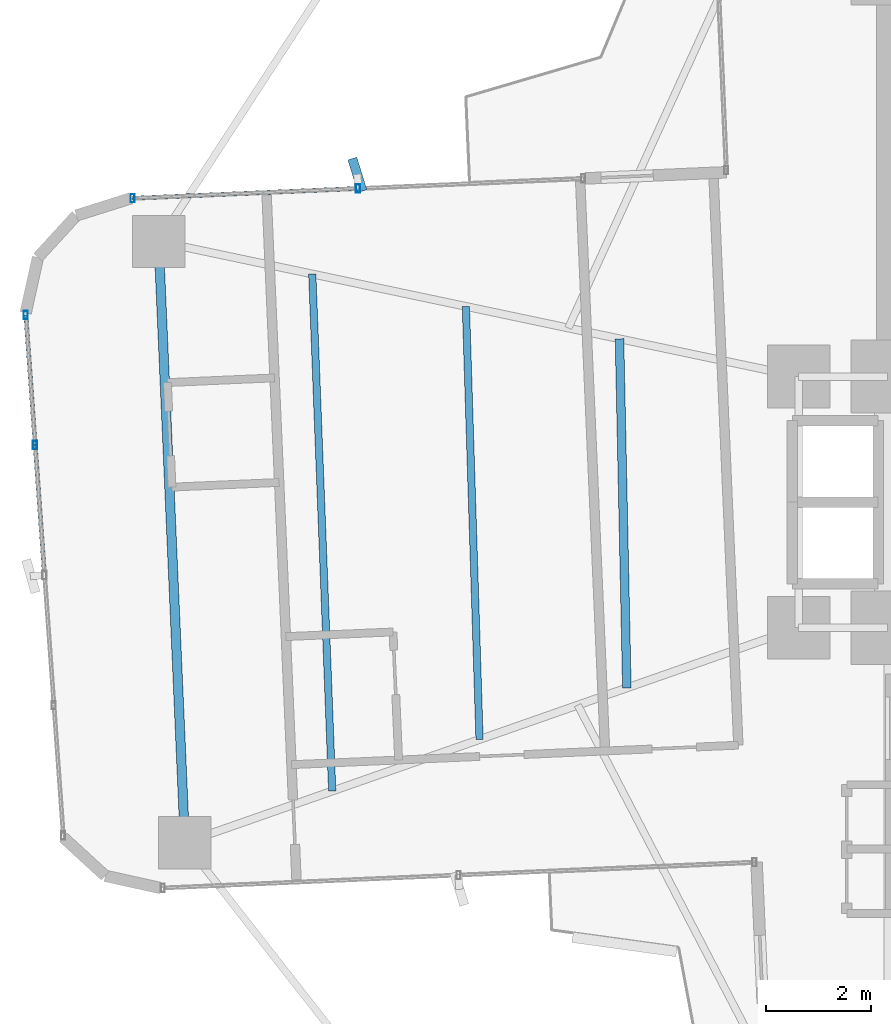
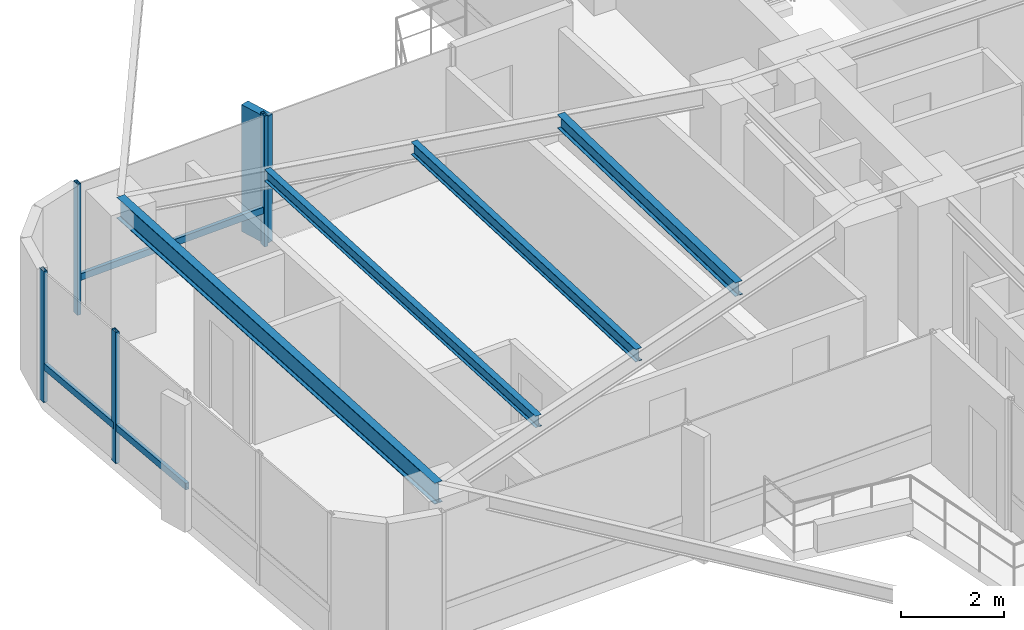
# One storey, part 9 of 26: 8 members, 4 beams, 2 elements without a shape of their own.
"""IFC4 building model written with IfcOpenShell, lengths in metres."""

import ifcopenshell
import ifcopenshell.guid

model = None  # the IFC model being written
_history = None  # IfcOwnerHistory: only IFC2X3 demands one
_inside = {}  # id of a spatial element -> (the spatial element, [elements in it])
_under = {}  # id of a project, library or spatial element -> (it, [spatial elements below it])
_declared = {}  # id of a project -> (the project, [libraries it declares])
_typed = {}  # id of a type object -> (the type object, [elements of that type])
_made_of = {}  # id of a material, layer set ... -> (it, [elements and type objects made of it])


def new_model(schema):
    """Start an empty IFC model of exactly this schema.

    Asked for "IFC4X3", IfcOpenShell would pick the latest addendum, in which some entities
    have other attributes; the version numbers below select the first issue.
    IFC2X3 requires an IfcOwnerHistory on every rooted entity: one is made here for all.
    """
    global model, _history
    if schema == "IFC4X3":
        model = ifcopenshell.file(schema_version=(4, 3, 0, 0))
    else:
        model = ifcopenshell.file(schema=schema)
    _inside.clear()
    _under.clear()
    _declared.clear()
    _typed.clear()
    _made_of.clear()
    _history = None
    if model.schema == "IFC2X3":
        org = make("IfcOrganization", Name="unknown")
        user = make(
            "IfcPersonAndOrganization",
            ThePerson=make("IfcPerson", FamilyName="unknown"),
            TheOrganization=org,
        )
        app = make(
            "IfcApplication",
            ApplicationDeveloper=org,
            Version="unknown",
            ApplicationFullName="unknown",
            ApplicationIdentifier="unknown",
        )
        _history = make(
            "IfcOwnerHistory",
            OwningUser=user,
            OwningApplication=app,
            ChangeAction="ADDED",
            CreationDate=0,
        )
    return model


def make(cls, **values):
    """One entity of the class cls with the attributes given. An attribute that is None is left unset."""
    return model.create_entity(
        cls, **{name: value for name, value in values.items() if value is not None}
    )


def rooted(cls, **values):
    """An entity with a GlobalId (a new one), such as an element, a storey or a relation."""
    return make(cls, GlobalId=ifcopenshell.guid.new(), OwnerHistory=_history, **values)


def si_unit(unit_type, name, prefix=None):
    """IfcSIUnit, for example si_unit("LENGTHUNIT", "METRE", prefix="MILLI")."""
    return make("IfcSIUnit", UnitType=unit_type, Prefix=prefix, Name=name)


def assignment(units):
    """IfcUnitAssignment: the units of a project."""
    return None if units is None else make("IfcUnitAssignment", Units=units)


def point(xyz):
    """IfcCartesianPoint."""
    return None if xyz is None else make("IfcCartesianPoint", Coordinates=xyz)


def direction(xyz):
    """IfcDirection."""
    return None if xyz is None else make("IfcDirection", DirectionRatios=xyz)


def frame(location, z_axis=None, x_axis=None):
    """IfcAxis2Placement3D, a coordinate frame: its origin and axes. An axis left out is left unset."""
    return make(
        "IfcAxis2Placement3D",
        Location=point(location),
        Axis=direction(z_axis),
        RefDirection=direction(x_axis),
    )


def frame_2d(location, x_axis=None):
    """IfcAxis2Placement2D, a coordinate frame in the plane: its origin and x axis."""
    return make(
        "IfcAxis2Placement2D", Location=point(location), RefDirection=direction(x_axis)
    )


def origin():
    """The frame at (0, 0, 0) with its axes left unset."""
    return frame((0.0, 0.0, 0.0))


def origin_2d():
    """The frame at (0, 0) in the plane with its x axis left unset."""
    return frame_2d((0.0, 0.0))


def place(relative_to, where):
    """IfcLocalPlacement: puts the frame where relative to a parent placement (None: the world)."""
    return make(
        "IfcLocalPlacement", PlacementRelTo=relative_to, RelativePlacement=where
    )


def context(
    kind, dimensions, precision=None, world=None, true_north=None, identifier=None
):
    """IfcGeometricRepresentationContext, for example the 3D "Model" context."""
    return make(
        "IfcGeometricRepresentationContext",
        ContextIdentifier=identifier,
        ContextType=kind,
        CoordinateSpaceDimension=dimensions,
        Precision=precision,
        WorldCoordinateSystem=world,
        TrueNorth=true_north,
    )


def subcontext(parent, identifier, kind, view, scale=None):
    """IfcGeometricRepresentationSubContext, for example "Body" below "Model"."""
    return make(
        "IfcGeometricRepresentationSubContext",
        ContextIdentifier=identifier,
        ContextType=kind,
        ParentContext=parent,
        TargetScale=scale,
        TargetView=view,
    )


def project(units=None, contexts=None):
    """IfcProject with its units and contexts."""
    return rooted(
        "IfcProject",
        Name="project",
        RepresentationContexts=contexts,
        UnitsInContext=assignment(units),
    )


def spatial(cls, under=None, at=None, **own):
    """A site, building, storey or space (cls), placed at a placement, below another one or the project."""
    s = rooted(cls, ObjectPlacement=at, **own)
    if under is not None:
        _under.setdefault(under.id(), (under, []))[1].append(s)
    return s


def profile(cls, at=None, kind="AREA", **sizes):
    """A parametric profile (cls). Its sizes go by their IFC names, for example OverallWidth=200.0."""
    return make(cls, ProfileType=kind, Position=at, **sizes)


def rectangle(**sizes):
    """IfcRectangleProfileDef."""
    return profile("IfcRectangleProfileDef", **sizes)


def hollow_rectangle(**sizes):
    """IfcRectangleHollowProfileDef."""
    return profile("IfcRectangleHollowProfileDef", **sizes)


def i_section(**sizes):
    """IfcIShapeProfileDef."""
    return profile("IfcIShapeProfileDef", **sizes)


def extrude(swept, where, along, depth):
    """IfcExtrudedAreaSolid: the profile swept, set in the frame where, extruded along a direction by depth."""
    return make(
        "IfcExtrudedAreaSolid",
        SweptArea=swept,
        Position=where,
        ExtrudedDirection=direction(along),
        Depth=depth,
    )


def shape(context_of_items, identifier, shape_type, items):
    """IfcShapeRepresentation: the items that make up one representation, for example the "Body"."""
    return make(
        "IfcShapeRepresentation",
        ContextOfItems=context_of_items,
        RepresentationIdentifier=identifier,
        RepresentationType=shape_type,
        Items=items,
    )


def source(mapping_origin, context_of_items, identifier, shape_type, items):
    """IfcRepresentationMap: a shape defined once, which mapped items show again and again."""
    return make(
        "IfcRepresentationMap",
        MappingOrigin=mapping_origin,
        MappedRepresentation=shape(context_of_items, identifier, shape_type, items),
    )


def transform(
    local_origin,
    x_axis=None,
    y_axis=None,
    z_axis=None,
    scale=None,
    scale2=None,
    scale3=None,
    uniform=True,
):
    """IfcCartesianTransformationOperator3D, or its non-uniform kind. x_axis, y_axis, z_axis: its Axis1, 2, 3."""
    if uniform:
        return make(
            "IfcCartesianTransformationOperator3D",
            Axis1=direction(x_axis),
            Axis2=direction(y_axis),
            LocalOrigin=point(local_origin),
            Scale=scale,
            Axis3=direction(z_axis),
        )
    return make(
        "IfcCartesianTransformationOperator3DnonUniform",
        Axis1=direction(x_axis),
        Axis2=direction(y_axis),
        LocalOrigin=point(local_origin),
        Scale=scale,
        Axis3=direction(z_axis),
        Scale2=scale2,
        Scale3=scale3,
    )


def mapped(mapping_source, mapping_target):
    """IfcMappedItem: shows the shape of a source again, moved by a transform."""
    return make(
        "IfcMappedItem", MappingSource=mapping_source, MappingTarget=mapping_target
    )


def material(Name=None, Category=None):
    """IfcMaterial."""
    return make("IfcMaterial", Name=Name, Category=Category)


def material_profile(
    of_material, cross_section, Name=None, Category=None, Priority=None
):
    """IfcMaterialProfile: a cross section and its material."""
    return make(
        "IfcMaterialProfile",
        Name=Name,
        Material=of_material,
        Profile=cross_section,
        Priority=Priority,
        Category=Category,
    )


def profile_set(profiles, Name=None, composite=None):
    """IfcMaterialProfileSet."""
    return make(
        "IfcMaterialProfileSet",
        Name=Name,
        MaterialProfiles=profiles,
        CompositeProfile=composite,
    )


def made_of(thing, what):
    """Note that an element or type object is made of a material, layer set ...; save() writes the relation."""
    if what is not None:
        _made_of.setdefault(what.id(), (what, []))[1].append(thing)
    return thing


def type_object(cls, material=None, **own):
    """A type object (cls), such as IfcWallType, which elements share."""
    return made_of(rooted(cls, **own), material)


def element(
    cls,
    number,
    at=None,
    inside=None,
    cuts=None,
    type_object=None,
    material=None,
    context=None,
    identifier="Body",
    shape_type=None,
    held_by="IfcProductDefinitionShape",
    body=None,
    shapes=None,
    **own,
):
    """One element of the class cls, such as IfcWall. Its Tag is "e" and its number.

    at: its placement. inside: the storey or other place that contains it. cuts: it is an
    opening in that element (IfcRelVoidsElement). A single representation is given by context,
    identifier, shape_type and body (its items); several are given by shapes. held_by: the class
    of the entity that holds the representations. save() writes the other relations.
    """
    e = rooted(cls, Tag="e%d" % number, ObjectPlacement=at, **own)
    if body is not None:
        shapes = [shape(context, identifier, shape_type, body)]
    if shapes is not None:
        e.Representation = make(held_by, Representations=shapes)
    if inside is not None:
        _inside.setdefault(inside.id(), (inside, []))[1].append(e)
    if cuts is not None:
        rooted(
            "IfcRelVoidsElement", RelatingBuildingElement=cuts, RelatedOpeningElement=e
        )
    if type_object is not None:
        _typed.setdefault(type_object.id(), (type_object, []))[1].append(e)
    return made_of(e, material)


def aggregate(whole, parts):
    """IfcRelAggregates: a whole, such as a stair, and the parts it consists of."""
    return rooted("IfcRelAggregates", RelatingObject=whole, RelatedObjects=parts)


def save(model, path):
    """Write the relations noted so far, then the file.

    IfcRelAggregates (storeys below a building ...), IfcRelContainedInSpatialStructure (elements
    in a storey), IfcRelDefinesByType, IfcRelAssociatesMaterial and IfcRelDeclares: one each for
    every whole, place, type object, material and project.
    """
    for whole, parts in _under.values():
        aggregate(whole, parts)
    for where, things in _inside.values():
        rooted(
            "IfcRelContainedInSpatialStructure",
            RelatedElements=things,
            RelatingStructure=where,
        )
    for kind, things in _typed.values():
        rooted("IfcRelDefinesByType", RelatedObjects=things, RelatingType=kind)
    for what, things in _made_of.values():
        rooted("IfcRelAssociatesMaterial", RelatedObjects=things, RelatingMaterial=what)
    for by, libraries in _declared.values():
        rooted("IfcRelDeclares", RelatingContext=by, RelatedDefinitions=libraries)
    model.write(path)


model = new_model("IFC4")

# Units and contexts
model_context = context("Model", 3, precision=1e-05, world=origin(), true_north=direction((0.0, 1.0)))
body_context = subcontext(model_context, "Body", "Model", "MODEL_VIEW")
ifc_project = project(units=[si_unit("LENGTHUNIT", "METRE"), si_unit("AREAUNIT", "SQUARE_METRE"), si_unit("VOLUMEUNIT", "CUBIC_METRE"), si_unit("PLANEANGLEUNIT", "RADIAN"), si_unit("MASSUNIT", "GRAM", prefix="KILO")], contexts=[model_context])

# Site, building, storey
site_placement = place(None, origin())
site = spatial("IfcSite", under=ifc_project, at=site_placement, CompositionType="ELEMENT")
building_placement = place(site_placement, origin())
building = spatial("IfcBuilding", under=site, at=building_placement, Name="Sahyath Konkavel Grand Hotel", CompositionType="ELEMENT")
storey_placement = place(building_placement, frame((0.0, 0.0, 131.550048828125)))
storey = spatial("IfcBuildingStorey", under=building, at=storey_placement, Name="L36", CompositionType="ELEMENT", Elevation=131.550048828125)

# Beams
ifc_material_1 = material(Name="Steel E350", Category="steel")
ifc_material_profile_1 = material_profile(ifc_material_1, i_section(OverallWidth=0.179931640625, OverallDepth=0.5, WebThickness=0.01025390625, FlangeThickness=0.01708984375, FilletRadius=0.01708984375, at=origin_2d()), Name="ISMB 500")
ifc_profile_set_1 = profile_set([ifc_material_profile_1], Name="Steel E350")
beam_type_1 = type_object("IfcBeamType", Name="BM-ISMB500", PredefinedType="BEAM", material=ifc_profile_set_1)
shared_shape_1 = source(origin(), body_context, "Body", "SweptSolid", [
    extrude(i_section(OverallWidth=0.179931640625, OverallDepth=0.5, WebThickness=0.01025390625, FlangeThickness=0.01708984375, FilletRadius=0.01708984375, at=origin_2d()), origin(), (0.0, 0.0, 1.0), 11.5),
])
beam_1_placement = place(storey_placement, frame((-17.734130859375, 4.981201171875, 2.85986328125), z_axis=(0.043627008892, -0.99904788879, 0.0), x_axis=(0.99904788879, 0.043627008892, 0.0)))
element("IfcBeam", 1, at=beam_1_placement, inside=storey, type_object=beam_type_1, Name="L36 Wing Tip Edge Beam W", PredefinedType="BEAM", context=body_context, shape_type="MappedRepresentation", body=[
    mapped(shared_shape_1, transform((0.0, 0.0, 0.0), scale=1.0)),
])
ifc_material_profile_2 = material_profile(ifc_material_1, i_section(OverallWidth=0.1650390625, OverallDepth=0.324951171875, WebThickness=0.007080078125, FlangeThickness=0.009765625, FilletRadius=0.014892578125, at=origin_2d()), Name="ISLB 325")
ifc_profile_set_2 = profile_set([ifc_material_profile_2], Name="Steel E350")
beam_type_2 = type_object("IfcBeamType", Name="BM-ISLB325", PredefinedType="BEAM", material=ifc_profile_set_2)
shared_shape_2 = source(origin(), body_context, "Body", "SweptSolid", [
    extrude(i_section(OverallWidth=0.1650390625, OverallDepth=0.324951171875, WebThickness=0.007080078125, FlangeThickness=0.009765625, FilletRadius=0.014892578125, at=origin_2d()), origin(), (0.0, 0.0, 1.0), 6.674560546875),
])
beam_2_placement = place(storey_placement, frame((-8.925537109375, 3.122802734375, 2.947509765625), z_axis=(0.021032188543, -0.999778799058, 0.0), x_axis=(0.999778799058, 0.021032188543, 0.0)))
element("IfcBeam", 2, at=beam_2_placement, inside=storey, type_object=beam_type_2, Name="L36 Secondary Floor Beam W-1", PredefinedType="BEAM", context=body_context, shape_type="MappedRepresentation", body=[
    mapped(shared_shape_2, transform((0.0, 0.0, 0.0), scale=1.0)),
])
ifc_material_profile_3 = material_profile(ifc_material_1, i_section(OverallWidth=0.139892578125, OverallDepth=0.300048828125, WebThickness=0.0078125, FlangeThickness=0.01318359375, FilletRadius=0.013916015625, at=origin_2d()), Name="ISMB 300")
ifc_profile_set_3 = profile_set([ifc_material_profile_3], Name="Steel E350")
beam_type_3 = type_object("IfcBeamType", Name="BM-ISMB300", PredefinedType="BEAM", material=ifc_profile_set_3)
shared_shape_3 = source(origin(), body_context, "Body", "SweptSolid", [
    extrude(i_section(OverallWidth=0.139892578125, OverallDepth=0.300048828125, WebThickness=0.0078125, FlangeThickness=0.01318359375, FilletRadius=0.013916015625, at=origin_2d()), origin(), (0.0, 0.0, 1.0), 8.282470703125),
])
beam_3_placement = place(storey_placement, frame((-11.86181640625, 3.7421875, 2.9599609375), z_axis=(0.031510827707, -0.999503410568, 0.0), x_axis=(0.999503410568, 0.031510827707, 0.0)))
element("IfcBeam", 3, at=beam_3_placement, inside=storey, type_object=beam_type_3, Name="L36 Secondary Floor Beam W-2", PredefinedType="BEAM", context=body_context, shape_type="MappedRepresentation", body=[
    mapped(shared_shape_3, transform((0.0, 0.0, 0.0), scale=1.0)),
])
ifc_material_profile_4 = material_profile(ifc_material_1, i_section(OverallWidth=0.139892578125, OverallDepth=0.27490234375, WebThickness=0.00634765625, FlangeThickness=0.0087890625, FilletRadius=0.012939453125, at=origin_2d()), Name="ISLB 275")
ifc_profile_set_4 = profile_set([ifc_material_profile_4], Name="Steel E350")
beam_type_4 = type_object("IfcBeamType", Name="BM-ISLB275", PredefinedType="BEAM", material=ifc_profile_set_4)
shared_shape_4 = source(origin(), body_context, "Body", "SweptSolid", [
    extrude(i_section(OverallWidth=0.139892578125, OverallDepth=0.27490234375, WebThickness=0.00634765625, FlangeThickness=0.0087890625, FilletRadius=0.012939453125, at=origin_2d()), origin(), (0.0, 0.0, 1.0), 9.89111328125),
])
beam_4_placement = place(storey_placement, frame((-14.798095703125, 4.36181640625, 2.972412109375), z_axis=(0.03855445741, -0.999256500511, 0.0), x_axis=(0.999256500511, 0.03855445741, 0.0)))
element("IfcBeam", 4, at=beam_4_placement, inside=storey, type_object=beam_type_4, Name="L36 Secondary Floor Beam W-3", PredefinedType="BEAM", context=body_context, shape_type="MappedRepresentation", body=[
    mapped(shared_shape_4, transform((0.0, 0.0, 0.0), scale=1.0)),
])

# Curtain wall, members
ifc_material_2 = material(Name="Anodised Bronze Aluminium & Low-E Glazing", Category="aluminium")
curtain_wall_type = type_object("IfcCurtainWallType", Name="CW-ZONE2", PredefinedType="NOTDEFINED", material=ifc_material_2)
curtain_wall_1_placement = place(storey_placement, origin())
curtain_wall_1 = element("IfcCurtainWall", 5, at=curtain_wall_1_placement, inside=storey, type_object=curtain_wall_type, Name="L36 Unitised Curtain Wall F16", PredefinedType="NOTDEFINED")
ifc_material_3 = material(Name="Anodised Bronze Aluminium", Category="aluminium")
ifc_material_profile_5 = material_profile(ifc_material_3, hollow_rectangle(XDim=0.080078125, YDim=0.159912109375, WallThickness=0.006103515625, at=origin_2d()), Name="RHS 160x80x6")
ifc_profile_set_5 = profile_set([ifc_material_profile_5], Name="Anodised Bronze Aluminium")
member_type_1 = type_object("IfcMemberType", Name="CW-MUL-160", PredefinedType="MULLION", material=ifc_profile_set_5)
shared_shape_5 = source(origin(), body_context, "Body", "SweptSolid", [
    extrude(hollow_rectangle(XDim=0.080078125, YDim=0.159912109375, WallThickness=0.006103515625, at=origin_2d()), origin(), (0.0, 0.0, 1.0), 3.10986328125),
])
member_1_placement = place(storey_placement, frame((-13.9248046875, 5.998291015625, 0.0), z_axis=(0.0, 0.0, 1.0), x_axis=(1.0, 0.0, 0.0)))
member_1 = element("IfcMember", 6, at=member_1_placement, type_object=member_type_1, Name="L36 Curtain Wall Mullion F16-1", PredefinedType="MULLION", context=body_context, shape_type="MappedRepresentation", body=[
    mapped(shared_shape_5, transform((0.0, 0.0, 0.0), scale=1.0)),
])
member_2_placement = place(storey_placement, frame((-18.230712890625, 5.810302734375, 0.0), z_axis=(0.0, 0.0, 1.0), x_axis=(1.0, 0.0, 0.0)))
member_2 = element("IfcMember", 7, at=member_2_placement, type_object=member_type_1, Name="L36 Curtain Wall Mullion F16-2", PredefinedType="MULLION", context=body_context, shape_type="MappedRepresentation", body=[
    mapped(shared_shape_5, transform((0.0, 0.0, 0.0), scale=1.0)),
])

curtain_wall_2_placement = place(storey_placement, origin())
curtain_wall_2 = element("IfcCurtainWall", 8, at=curtain_wall_2_placement, inside=storey, type_object=curtain_wall_type, Name="L36 Unitised Curtain Wall F20", PredefinedType="NOTDEFINED")
member_3_placement = place(storey_placement, frame((-20.2744140625, 3.5791015625, 0.0), z_axis=(0.0, 0.0, 1.0), x_axis=(1.0, 0.0, 0.0)))
member_3 = element("IfcMember", 9, at=member_3_placement, type_object=member_type_1, Name="L36 Curtain Wall Mullion F20-0", PredefinedType="MULLION", context=body_context, shape_type="MappedRepresentation", body=[
    mapped(shared_shape_5, transform((0.0, 0.0, 0.0), scale=1.0)),
])
member_4_placement = place(storey_placement, frame((-20.095947265625, 1.092041015625, 0.0), z_axis=(0.0, 0.0, 1.0), x_axis=(1.0, 0.0, 0.0)))
member_4 = element("IfcMember", 10, at=member_4_placement, type_object=member_type_1, Name="L36 Curtain Wall Mullion F20-1", PredefinedType="MULLION", context=body_context, shape_type="MappedRepresentation", body=[
    mapped(shared_shape_5, transform((0.0, 0.0, 0.0), scale=1.0)),
])

# Member
ifc_material_4 = material(Name="Warm Buff Sandstone Cladding on Concrete C50/60", Category="masonry")
ifc_material_profile_6 = material_profile(ifc_material_4, rectangle(XDim=0.179931640625, YDim=0.64990234375, at=origin_2d()), Name="FIN 180x650")
ifc_profile_set_6 = profile_set([ifc_material_profile_6], Name="Warm Buff Sandstone Cladding on Concrete C50/60")
member_type_2 = type_object("IfcMemberType", Name="FIN-SANDSTONE-650", PredefinedType="MULLION", material=ifc_profile_set_6)
shared_shape_6 = source(origin(), body_context, "Body", "SweptSolid", [
    extrude(rectangle(XDim=0.179931640625, YDim=0.64990234375, at=origin_2d()), origin(), (0.0, 0.0, 1.0), 3.010009765625),
])
member_5_placement = place(storey_placement, frame((-13.936279296875, 6.258056640625, 0.050048828125), z_axis=(0.0, 0.0, 1.0), x_axis=(0.955278362122, 0.295708050044, 0.0)))
member_5 = element("IfcMember", 11, at=member_5_placement, type_object=member_type_2, Name="L36 Sandstone Vertical Solar Fin FIN F16-1", PredefinedType="MULLION", context=body_context, shape_type="MappedRepresentation", body=[
    mapped(shared_shape_6, transform((0.0, 0.0, 0.0), scale=1.0)),
])

ifc_material_profile_7 = material_profile(ifc_material_3, hollow_rectangle(XDim=0.080078125, YDim=0.159912109375, WallThickness=0.006103515625, at=origin_2d()), Name="RHS 160x80x6")
ifc_profile_set_7 = profile_set([ifc_material_profile_7], Name="Anodised Bronze Aluminium")
member_type_3 = type_object("IfcMemberType", Name="CW-TRN-160", PredefinedType="USERDEFINED", material=ifc_profile_set_7)
shared_shape_7 = source(origin(), body_context, "Body", "SweptSolid", [
    extrude(hollow_rectangle(XDim=0.080078125, YDim=0.159912109375, WallThickness=0.006103515625, at=origin_2d()), origin(), (0.0, 0.0, 1.0), 4.31005859375),
])
member_6_placement = place(storey_placement, frame((-13.9248046875, 5.998291015625, 0.849853515625), z_axis=(-0.999048340188, -0.043616670746, 0.0), x_axis=(0.043616670746, -0.999048340188, 0.0)))
member_6 = element("IfcMember", 12, at=member_6_placement, type_object=member_type_3, Name="L36 Curtain Wall Transom F16-1-spandrel", ObjectType="TRANSOM", PredefinedType="USERDEFINED", context=body_context, shape_type="MappedRepresentation", body=[
    mapped(shared_shape_7, transform((0.0, 0.0, 0.0), scale=1.0)),
])

aggregate(curtain_wall_1, [member_1, member_5, member_2, member_6])

shared_shape_8 = source(origin(), body_context, "Body", "SweptSolid", [
    extrude(hollow_rectangle(XDim=0.080078125, YDim=0.159912109375, WallThickness=0.006103515625, at=origin_2d()), origin(), (0.0, 0.0, 1.0), 2.493408203125),
])
member_7_placement = place(storey_placement, frame((-20.2744140625, 3.5791015625, 0.849853515625), z_axis=(0.071574084062, -0.997435286367, 0.0), x_axis=(0.997435286367, 0.071574084062, 0.0)))
member_7 = element("IfcMember", 13, at=member_7_placement, type_object=member_type_3, Name="L36 Curtain Wall Transom F20-0-spandrel", ObjectType="TRANSOM", PredefinedType="USERDEFINED", context=body_context, shape_type="MappedRepresentation", body=[
    mapped(shared_shape_8, transform((0.0, 0.0, 0.0), scale=1.0)),
])

member_8_placement = place(storey_placement, frame((-20.095947265625, 1.092041015625, 0.849853515625), z_axis=(0.071574084062, -0.997435286367, 0.0), x_axis=(0.997435286367, 0.071574084062, 0.0)))
member_8 = element("IfcMember", 14, at=member_8_placement, type_object=member_type_3, Name="L36 Curtain Wall Transom F20-1-spandrel", ObjectType="TRANSOM", PredefinedType="USERDEFINED", context=body_context, shape_type="MappedRepresentation", body=[
    mapped(shared_shape_8, transform((0.0, 0.0, 0.0), scale=1.0)),
])

aggregate(curtain_wall_2, [member_3, member_4, member_7, member_8])

save(model, "model.ifc")
